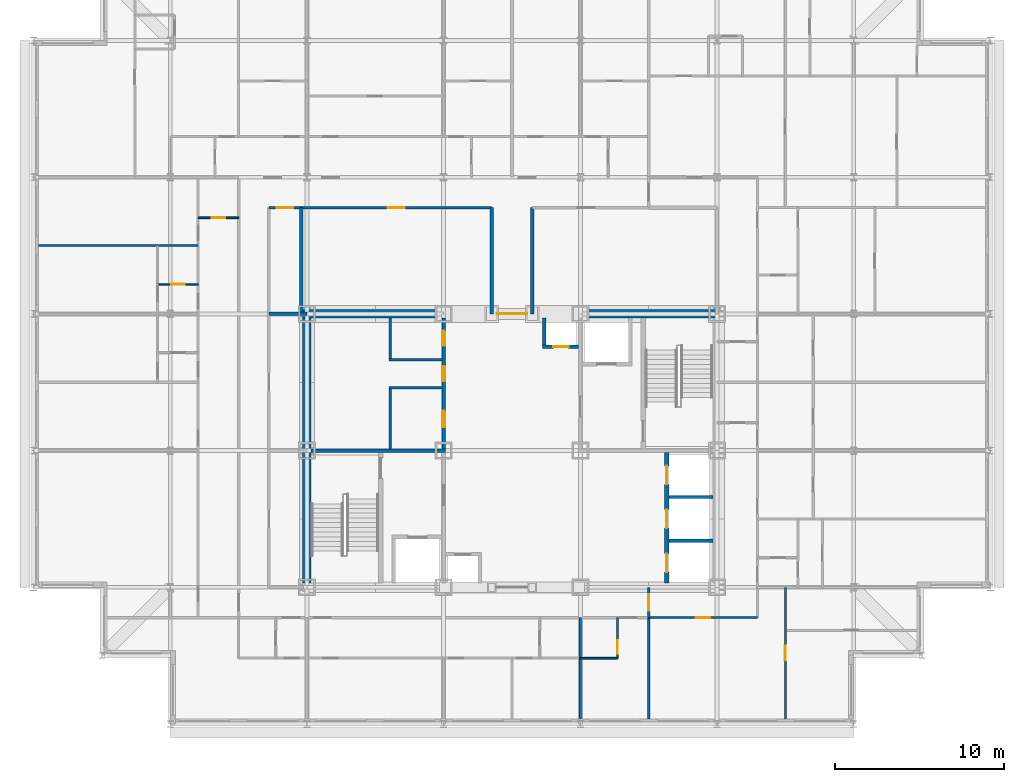
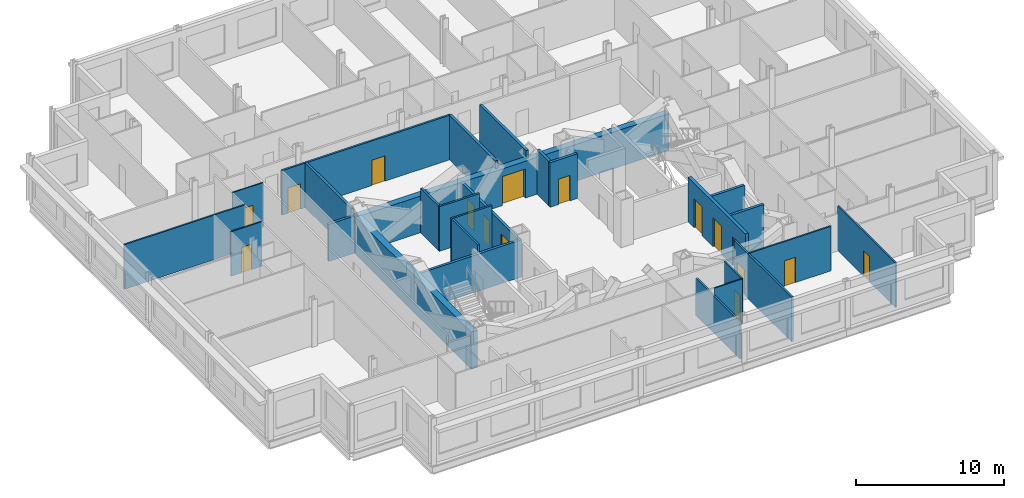
# One storey, part 9 of 15: 28 walls, 16 doors, 16 openings.
"""IFC4 building model written with IfcOpenShell, lengths in metres."""

from ifc_helpers import new_model, si_unit, direction, frame, frame_2d, origin, place, context, subcontext, project, spatial, rectangle, extrude, material, layer, layer_set, type_object, element, fill, save


model = new_model("IFC4")

# Units and contexts
model_context = context("Model", 3, precision=1e-05, world=origin(), true_north=direction((0.0, 1.0)))
body_context = subcontext(model_context, "Body", "Model", "MODEL_VIEW")
ifc_project = project(units=[si_unit("LENGTHUNIT", "METRE"), si_unit("AREAUNIT", "SQUARE_METRE"), si_unit("VOLUMEUNIT", "CUBIC_METRE"), si_unit("PLANEANGLEUNIT", "RADIAN"), si_unit("MASSUNIT", "GRAM", prefix="KILO")], contexts=[model_context])

# Site, building, storey
site_placement = place(None, origin())
site = spatial("IfcSite", under=ifc_project, at=site_placement, CompositionType="ELEMENT")
building_placement = place(site_placement, origin())
building = spatial("IfcBuilding", under=site, at=building_placement, Name="Kopane Lantern Tower", CompositionType="ELEMENT")
storey_placement = place(building_placement, frame((0.0, 0.0, 285.300048828125)))
storey = spatial("IfcBuildingStorey", under=building, at=storey_placement, Name="L73", CompositionType="ELEMENT", Elevation=285.300048828125)

# Wall
ifc_material_1 = material(Name="Gypsum board on steel studs", Category="steel")
ifc_layer_1 = layer(ifc_material_1, 0.1201171875)
ifc_layer_set_1 = layer_set([ifc_layer_1], Name="APARTMENT INTERNAL WALL 120")
wall_type_1 = type_object("IfcWallType", Name="APARTMENT INTERNAL WALL 120", PredefinedType="PARTITIONING", material=ifc_layer_set_1)
wall_1_placement = place(storey_placement, frame((9.75, 44.550048828125, 0.0), z_axis=(0.0, 0.0, 1.0), x_axis=(-1.0, 0.0, 0.0)))
element("IfcWall", 1, at=wall_1_placement, inside=storey, type_object=wall_type_1, Name="Apartment Internal Wall 120 L73", PredefinedType="PARTITIONING", context=body_context, shape_type="SweptSolid", body=[
    extrude(rectangle(XDim=9.449951171875, YDim=0.1201171875, at=frame_2d((4.72509765625, 0.0))), origin(), (0.0, 0.0, 1.0), 3.68994140625),
])

# Wall, opening, door
wall_2_placement = place(storey_placement, frame((36.449951171875, 22.5, 0.0), z_axis=(0.0, 0.0, 1.0), x_axis=(1.0, 0.0, 0.0)))
wall_2 = element("IfcWall", 2, at=wall_2_placement, inside=storey, type_object=wall_type_1, Name="Apartment Internal Wall 120 L73", PredefinedType="PARTITIONING", context=body_context, shape_type="SweptSolid", body=[
    extrude(rectangle(XDim=6.449951171875, YDim=0.1201171875, at=frame_2d((3.22509765625, 0.0))), origin(), (0.0, 0.0, 1.0), 3.68994140625),
])
opening_1_placement = place(wall_2_placement, frame((2.800048828125, 0.0, 0.0)))
opening_1 = element("IfcOpeningElement", 3, at=opening_1_placement, cuts=wall_2, Name="Opening L73-039", PredefinedType="OPENING", context=body_context, shape_type="SweptSolid", body=[
    extrude(rectangle(XDim=0.85009765625, YDim=2.10009765625, at=frame_2d((0.425048828125, 1.050048828125))), frame((0.0, 0.070068359375, 0.0), z_axis=(0.0, -1.0, 0.0), x_axis=(1.0, 0.0, 0.0)), (0.0, 0.0, 1.0), 0.14013671875),
])
ifc_material_2 = material(Name="Timber door set", Category="wood")
door_type_1 = type_object("IfcDoorType", Name="DOOR D4 850x2100", OperationType="SINGLE_SWING_LEFT", PredefinedType="DOOR", material=ifc_material_2)
door_1_placement = place(opening_1_placement, origin())
door_1 = element("IfcDoor", 4, at=door_1_placement, inside=storey, type_object=door_type_1, Name="Door L73-039", OperationType="SINGLE_SWING_RIGHT", OverallHeight=2.10009765625, OverallWidth=0.85009765625, PredefinedType="DOOR", context=body_context, shape_type="SweptSolid", body=[
    extrude(rectangle(XDim=0.85009765625, YDim=2.10009765625, at=frame_2d((0.425048828125, 1.050048828125))), frame((0.0, 0.02490234375, 0.0), z_axis=(0.0, -1.0, 0.0), x_axis=(1.0, 0.0, 0.0)), (0.0, 0.0, 1.0), 0.050048828125),
])
fill(opening_1, door_1)

wall_3_placement = place(storey_placement, frame((44.550048828125, 16.5, 0.0), z_axis=(0.0, 0.0, 1.0), x_axis=(0.0, 1.0, 0.0)))
wall_3 = element("IfcWall", 5, at=wall_3_placement, inside=storey, type_object=wall_type_1, Name="Apartment Internal Wall 120 L73", PredefinedType="PARTITIONING", context=body_context, shape_type="SweptSolid", body=[
    extrude(rectangle(XDim=7.800048828125, YDim=0.1201171875, at=frame_2d((3.89990234375, 0.0))), origin(), (0.0, 0.0, 1.0), 3.68994140625),
])
opening_2_placement = place(wall_3_placement, frame((3.47509765625, 0.0, 0.0)))
opening_2 = element("IfcOpeningElement", 6, at=opening_2_placement, cuts=wall_3, Name="Opening L73-040", PredefinedType="OPENING", context=body_context, shape_type="SweptSolid", body=[
    extrude(rectangle(XDim=0.85009765625, YDim=2.10009765625, at=frame_2d((0.425048828125, 1.050048828125))), frame((0.0, 0.070068359375, 0.0), z_axis=(0.0, -1.0, 0.0), x_axis=(1.0, 0.0, 0.0)), (0.0, 0.0, 1.0), 0.14013671875),
])
door_2_placement = place(opening_2_placement, origin())
door_2 = element("IfcDoor", 7, at=door_2_placement, inside=storey, type_object=door_type_1, Name="Door L73-040", OperationType="SINGLE_SWING_LEFT", OverallHeight=2.10009765625, OverallWidth=0.85009765625, PredefinedType="DOOR", context=body_context, shape_type="SweptSolid", body=[
    extrude(rectangle(XDim=0.85009765625, YDim=2.10009765625, at=frame_2d((0.425048828125, 1.050048828125))), frame((0.0, 0.02490234375, 0.0), z_axis=(0.0, -1.0, 0.0), x_axis=(1.0, 0.0, 0.0)), (0.0, 0.0, 1.0), 0.050048828125),
])
fill(opening_2, door_2)

# Wall
ifc_material_3 = material(Name="Moisture-resistant board on steel studs", Category="steel")
ifc_layer_2 = layer(ifc_material_3, 0.10009765625)
ifc_layer_set_2 = layer_set([ifc_layer_2], Name="BATHROOM WALL 100")
wall_type_2 = type_object("IfcWallType", Name="BATHROOM WALL 100", PredefinedType="PARTITIONING", material=ifc_layer_set_2)
wall_4_placement = place(storey_placement, frame((32.39990234375, 20.10009765625, 0.0), z_axis=(0.0, 0.0, 1.0), x_axis=(1.0, 0.0, 0.0)))
element("IfcWall", 8, at=wall_4_placement, inside=storey, type_object=wall_type_2, Name="Bathroom Wall 100 L73", PredefinedType="PARTITIONING", context=body_context, shape_type="SweptSolid", body=[
    extrude(rectangle(XDim=2.2001953125, YDim=0.10009765625, at=frame_2d((1.10009765625, 0.0))), origin(), (0.0, 0.0, 1.0), 3.68994140625),
])

# Wall, opening, door
wall_5_placement = place(storey_placement, frame((34.60009765625, 22.5, 0.0), z_axis=(0.0, 0.0, 1.0), x_axis=(0.0, -1.0, 0.0)))
wall_5 = element("IfcWall", 9, at=wall_5_placement, inside=storey, type_object=wall_type_2, Name="Bathroom Wall 100 L73", PredefinedType="PARTITIONING", context=body_context, shape_type="SweptSolid", body=[
    extrude(rectangle(XDim=2.39990234375, YDim=0.10009765625, at=frame_2d((1.199951171875, 0.0))), origin(), (0.0, 0.0, 1.0), 3.68994140625),
])
opening_3_placement = place(wall_5_placement, frame((1.35009765625, 0.0, 0.0)))
opening_3 = element("IfcOpeningElement", 10, at=opening_3_placement, cuts=wall_5, Name="Opening L73-011", PredefinedType="OPENING", context=body_context, shape_type="SweptSolid", body=[
    extrude(rectangle(XDim=0.800048828125, YDim=2.10009765625, at=frame_2d((0.39990234375, 1.050048828125))), frame((0.0, 0.06005859375, 0.0), z_axis=(0.0, -1.0, 0.0), x_axis=(1.0, 0.0, 0.0)), (0.0, 0.0, 1.0), 0.1201171875),
])
ifc_material_4 = material(Name="Timber door set", Category="wood")
door_type_2 = type_object("IfcDoorType", Name="DOOR D2 800x2100", OperationType="SINGLE_SWING_LEFT", PredefinedType="DOOR", material=ifc_material_4)
door_3_placement = place(opening_3_placement, origin())
door_3 = element("IfcDoor", 11, at=door_3_placement, inside=storey, type_object=door_type_2, Name="Door L73-011", OperationType="SINGLE_SWING_LEFT", OverallHeight=2.10009765625, OverallWidth=0.800048828125, PredefinedType="DOOR", context=body_context, shape_type="SweptSolid", body=[
    extrude(rectangle(XDim=0.800048828125, YDim=2.10009765625, at=frame_2d((0.39990234375, 1.050048828125))), frame((0.0, 0.02490234375, 0.0), z_axis=(0.0, -1.0, 0.0), x_axis=(1.0, 0.0, 0.0)), (0.0, 0.0, 1.0), 0.050048828125),
])
fill(opening_3, door_3)

wall_6_placement = place(storey_placement, frame((12.14990234375, 46.199951171875, 0.0), z_axis=(0.0, 0.0, 1.0), x_axis=(-1.0, 0.0, 0.0)))
wall_6 = element("IfcWall", 12, at=wall_6_placement, inside=storey, type_object=wall_type_2, Name="Bathroom Wall 100 L73", PredefinedType="PARTITIONING", context=body_context, shape_type="SweptSolid", body=[
    extrude(rectangle(XDim=2.39990234375, YDim=0.10009765625, at=frame_2d((1.199951171875, 0.0))), origin(), (0.0, 0.0, 1.0), 3.68994140625),
])
opening_4_placement = place(wall_6_placement, frame((0.800048828125, 0.0, 0.0)))
opening_4 = element("IfcOpeningElement", 13, at=opening_4_placement, cuts=wall_6, Name="Opening L73-021", PredefinedType="OPENING", context=body_context, shape_type="SweptSolid", body=[
    extrude(rectangle(XDim=0.800048828125, YDim=2.10009765625, at=frame_2d((0.39990234375, 1.050048828125))), frame((0.0, 0.06005859375, 0.0), z_axis=(0.0, -1.0, 0.0), x_axis=(1.0, 0.0, 0.0)), (0.0, 0.0, 1.0), 0.1201171875),
])
door_4_placement = place(opening_4_placement, origin())
door_4 = element("IfcDoor", 14, at=door_4_placement, inside=storey, type_object=door_type_2, Name="Door L73-021", OperationType="SINGLE_SWING_RIGHT", OverallHeight=2.10009765625, OverallWidth=0.800048828125, PredefinedType="DOOR", context=body_context, shape_type="SweptSolid", body=[
    extrude(rectangle(XDim=0.800048828125, YDim=2.10009765625, at=frame_2d((0.39990234375, 1.050048828125))), frame((0.0, 0.02490234375, 0.0), z_axis=(0.0, -1.0, 0.0), x_axis=(1.0, 0.0, 0.0)), (0.0, 0.0, 1.0), 0.050048828125),
])
fill(opening_4, door_4)

wall_7_placement = place(storey_placement, frame((9.75, 42.25, 0.0), z_axis=(0.0, 0.0, 1.0), x_axis=(-1.0, 0.0, 0.0)))
wall_7 = element("IfcWall", 15, at=wall_7_placement, inside=storey, type_object=wall_type_2, Name="Bathroom Wall 100 L73", PredefinedType="PARTITIONING", context=body_context, shape_type="SweptSolid", body=[
    extrude(rectangle(XDim=2.39990234375, YDim=0.10009765625, at=frame_2d((1.199951171875, 0.0))), origin(), (0.0, 0.0, 1.0), 3.68994140625),
])
opening_5_placement = place(wall_7_placement, frame((0.800048828125, 0.0, 0.0)))
opening_5 = element("IfcOpeningElement", 16, at=opening_5_placement, cuts=wall_7, Name="Opening L73-027", PredefinedType="OPENING", context=body_context, shape_type="SweptSolid", body=[
    extrude(rectangle(XDim=0.800048828125, YDim=2.10009765625, at=frame_2d((0.39990234375, 1.050048828125))), frame((0.0, 0.06005859375, 0.0), z_axis=(0.0, -1.0, 0.0), x_axis=(1.0, 0.0, 0.0)), (0.0, 0.0, 1.0), 0.1201171875),
])
door_5_placement = place(opening_5_placement, origin())
door_5 = element("IfcDoor", 17, at=door_5_placement, inside=storey, type_object=door_type_2, Name="Door L73-027", OperationType="SINGLE_SWING_RIGHT", OverallHeight=2.10009765625, OverallWidth=0.800048828125, PredefinedType="DOOR", context=body_context, shape_type="SweptSolid", body=[
    extrude(rectangle(XDim=0.800048828125, YDim=2.10009765625, at=frame_2d((0.39990234375, 1.050048828125))), frame((0.0, 0.02490234375, 0.0), z_axis=(0.0, -1.0, 0.0), x_axis=(1.0, 0.0, 0.0)), (0.0, 0.0, 1.0), 0.050048828125),
])
fill(opening_5, door_5)

ifc_material_5 = material(Name="Gypsum shaft wall EI 120", Category="gypsum")
ifc_layer_3 = layer(ifc_material_5, 0.5)
ifc_layer_set_3 = layer_set([ifc_layer_3], Name="CORE PERIMETER WALL 500 EI 120")
wall_type_3 = type_object("IfcWallType", Name="CORE PERIMETER WALL 500 EI 120", PredefinedType="SOLIDWALL", material=ifc_layer_set_3)
wall_8_placement = place(storey_placement, frame((15.949951171875, 40.5, 0.0), z_axis=(0.0, 0.0, 1.0), x_axis=(1.0, 0.0, 0.0)))
wall_8 = element("IfcWall", 18, at=wall_8_placement, inside=storey, type_object=wall_type_3, Name="Core shaft wall L73 PN", PredefinedType="SOLIDWALL", context=body_context, shape_type="SweptSolid", body=[
    extrude(rectangle(XDim=24.550048828125, YDim=0.5, at=frame_2d((12.27490234375, 0.0))), origin(), (0.0, 0.0, 1.0), 3.0400390625),
])
opening_6_placement = place(wall_8_placement, frame((11.5, 0.0, 0.0)))
opening_6 = element("IfcOpeningElement", 19, at=opening_6_placement, cuts=wall_8, Name="Opening 73.CE-N", PredefinedType="OPENING", context=body_context, shape_type="SweptSolid", body=[
    extrude(rectangle(XDim=1.800048828125, YDim=2.39990234375, at=frame_2d((0.89990234375, 1.199951171875))), frame((0.0, 0.260009765625, 0.0), z_axis=(0.0, -1.0, 0.0), x_axis=(1.0, 0.0, 0.0)), (0.0, 0.0, 1.0), 0.52001953125),
])
ifc_material_6 = material(Name="Steel door set", Category="steel")
door_type_3 = type_object("IfcDoorType", Name="CORE ENTRY DOOR 1800x2400 FD60S", OperationType="DOUBLE_DOOR_SINGLE_SWING", PredefinedType="DOOR", material=ifc_material_6)
door_6_placement = place(opening_6_placement, origin())
door_6 = element("IfcDoor", 20, at=door_6_placement, inside=storey, type_object=door_type_3, Name="Core entry door L73 north", OperationType="DOUBLE_DOOR_SINGLE_SWING", OverallHeight=2.39990234375, OverallWidth=1.800048828125, PredefinedType="DOOR", context=body_context, shape_type="SweptSolid", body=[
    extrude(rectangle(XDim=1.800048828125, YDim=2.39990234375, at=frame_2d((0.89990234375, 1.199951171875))), frame((0.0, 0.02490234375, 0.0), z_axis=(0.0, -1.0, 0.0), x_axis=(1.0, 0.0, 0.0)), (0.0, 0.0, 1.0), 0.050048828125),
])
fill(opening_6, door_6)

# Walls
wall_9_placement = place(storey_placement, frame((16.199951171875, 24.550048828125, 0.0), z_axis=(0.0, 0.0, 1.0), x_axis=(0.0, 1.0, 0.0)))
element("IfcWall", 21, at=wall_9_placement, inside=storey, type_object=wall_type_3, Name="Core shaft wall L73 PW", PredefinedType="SOLIDWALL", context=body_context, shape_type="SweptSolid", body=[
    extrude(rectangle(XDim=15.699951171875, YDim=0.5, at=frame_2d((7.85009765625, 0.0))), origin(), (0.0, 0.0, 1.0), 3.07763671875),
])
ifc_material_7 = material(Name="Gypsum partition EI 60", Category="gypsum")
ifc_layer_4 = layer(ifc_material_7, 0.14990234375)
ifc_layer_set_4 = layer_set([ifc_layer_4], Name="CORE ROOM PARTITION 150 EI 60")
wall_type_4 = type_object("IfcWallType", Name="CORE ROOM PARTITION 150 EI 60", PredefinedType="PARTITIONING", material=ifc_layer_set_4)
for number, where, z_axis, x_axis, name in (
    (22, (21.050048828125, 36.125, 0.0), (0.0, 0.0, 1.0), (1.0, 0.0, 0.0), "Core room partition L73 WW1"),
    (23, (21.050048828125, 37.77490234375, 0.0), (0.0, 0.0, 1.0), (1.0, 0.0, 0.0), "Core room partition L73 WW2"),
):
    element("IfcWall", number, at=place(storey_placement, frame(where, z_axis=z_axis, x_axis=x_axis)), inside=storey, type_object=wall_type_4, Name=name, PredefinedType="PARTITIONING", context=body_context, shape_type="SweptSolid", body=[
        extrude(rectangle(XDim=3.14990234375, YDim=0.14990234375, at=frame_2d((1.574951171875, 0.0))), origin(), (0.0, 0.0, 1.0), 3.68994140625),
    ])
wall_10_placement = place(storey_placement, frame((21.125, 32.5, 0.0), z_axis=(0.0, 0.0, 1.0), x_axis=(0.0, 1.0, 0.0)))
element("IfcWall", 24, at=wall_10_placement, inside=storey, type_object=wall_type_4, Name="Core room partition L73 WWB0", PredefinedType="PARTITIONING", context=body_context, shape_type="SweptSolid", body=[
    extrude(rectangle(XDim=3.550048828125, YDim=0.14990234375, at=frame_2d((1.77490234375, 0.0))), origin(), (0.0, 0.0, 1.0), 3.68994140625),
])
wall_11_placement = place(storey_placement, frame((21.125, 37.85009765625, 0.0), z_axis=(0.0, 0.0, 1.0), x_axis=(0.0, 1.0, 0.0)))
element("IfcWall", 25, at=wall_11_placement, inside=storey, type_object=wall_type_4, Name="Core room partition L73 WWB1", PredefinedType="PARTITIONING", context=body_context, shape_type="SweptSolid", body=[
    extrude(rectangle(XDim=2.39990234375, YDim=0.14990234375, at=frame_2d((1.199951171875, 0.0))), origin(), (0.0, 0.0, 1.0), 3.68994140625),
])

# Wall, openings, doors
ifc_material_8 = material(Name="Gypsum partition EI 60", Category="gypsum")
ifc_layer_5 = layer(ifc_material_8, 0.199951171875)
ifc_layer_set_5 = layer_set([ifc_layer_5], Name="CORE ROOM WALL 200 EI 60")
wall_type_5 = type_object("IfcWallType", Name="CORE ROOM WALL 200 EI 60", PredefinedType="PARTITIONING", material=ifc_layer_set_5)
wall_12_placement = place(storey_placement, frame((24.300048828125, 32.5, 0.0), z_axis=(0.0, 0.0, 1.0), x_axis=(0.0, 1.0, 0.0)))
wall_12 = element("IfcWall", 26, at=wall_12_placement, inside=storey, type_object=wall_type_5, Name="Core room wall L73 XW", PredefinedType="PARTITIONING", context=body_context, shape_type="SweptSolid", body=[
    extrude(rectangle(XDim=7.75, YDim=0.199951171875, at=frame_2d((3.875, 0.0))), origin(), (0.0, 0.0, 1.0), 3.07763671875),
])
opening_7_placement = place(wall_12_placement, frame((1.27490234375, 0.0, 0.0)))
opening_7 = element("IfcOpeningElement", 27, at=opening_7_placement, cuts=wall_12, Name="Opening 73.C30", PredefinedType="OPENING", context=body_context, shape_type="SweptSolid", body=[
    extrude(rectangle(XDim=1.0, YDim=2.10009765625, at=frame_2d((0.5, 1.050048828125))), frame((0.0, 0.10986328125, 0.0), z_axis=(0.0, -1.0, 0.0), x_axis=(1.0, 0.0, 0.0)), (0.0, 0.0, 1.0), 0.219970703125),
])
opening_8_placement = place(wall_12_placement, frame((4.0, 0.0, 0.0)))
opening_8 = element("IfcOpeningElement", 28, at=opening_8_placement, cuts=wall_12, Name="Opening 73.C31", PredefinedType="OPENING", context=body_context, shape_type="SweptSolid", body=[
    extrude(rectangle(XDim=0.89990234375, YDim=2.10009765625, at=frame_2d((0.449951171875, 1.050048828125))), frame((0.0, 0.10986328125, 0.0), z_axis=(0.0, -1.0, 0.0), x_axis=(1.0, 0.0, 0.0)), (0.0, 0.0, 1.0), 0.219970703125),
])
opening_9_placement = place(wall_12_placement, frame((6.10009765625, 0.0, 0.0)))
opening_9 = element("IfcOpeningElement", 29, at=opening_9_placement, cuts=wall_12, Name="Opening 73.C32", PredefinedType="OPENING", context=body_context, shape_type="SweptSolid", body=[
    extrude(rectangle(XDim=0.89990234375, YDim=2.10009765625, at=frame_2d((0.449951171875, 1.050048828125))), frame((0.0, 0.10986328125, 0.0), z_axis=(0.0, -1.0, 0.0), x_axis=(1.0, 0.0, 0.0)), (0.0, 0.0, 1.0), 0.219970703125),
])
ifc_material_9 = material(Name="Steel door set", Category="steel")
door_type_4 = type_object("IfcDoorType", Name="CORE ROOM DOOR 1000x2100 FD30S", OperationType="SINGLE_SWING_RIGHT", PredefinedType="DOOR", material=ifc_material_9)
door_7_placement = place(opening_7_placement, origin())
door_7 = element("IfcDoor", 30, at=door_7_placement, inside=storey, type_object=door_type_4, Name="Door Parcel room L73", OperationType="SINGLE_SWING_LEFT", OverallHeight=2.10009765625, OverallWidth=1.0, PredefinedType="DOOR", context=body_context, shape_type="SweptSolid", body=[
    extrude(rectangle(XDim=1.0, YDim=2.10009765625, at=frame_2d((0.5, 1.050048828125))), frame((0.0, 0.02490234375, 0.0), z_axis=(0.0, -1.0, 0.0), x_axis=(1.0, 0.0, 0.0)), (0.0, 0.0, 1.0), 0.050048828125),
])
fill(opening_7, door_7)
ifc_material_10 = material(Name="Steel door set", Category="steel")
door_type_5 = type_object("IfcDoorType", Name="CORE ROOM DOOR 900x2100 FD60", OperationType="SINGLE_SWING_LEFT", PredefinedType="DOOR", material=ifc_material_10)
door_8_placement = place(opening_8_placement, origin())
door_8 = element("IfcDoor", 31, at=door_8_placement, inside=storey, type_object=door_type_5, Name="Door Residents storage L73", OperationType="SINGLE_SWING_RIGHT", OverallHeight=2.10009765625, OverallWidth=0.89990234375, PredefinedType="DOOR", context=body_context, shape_type="SweptSolid", body=[
    extrude(rectangle(XDim=0.89990234375, YDim=2.10009765625, at=frame_2d((0.449951171875, 1.050048828125))), frame((0.0, 0.02490234375, 0.0), z_axis=(0.0, -1.0, 0.0), x_axis=(1.0, 0.0, 0.0)), (0.0, 0.0, 1.0), 0.050048828125),
])
fill(opening_8, door_8)
door_9_placement = place(opening_9_placement, origin())
door_9 = element("IfcDoor", 32, at=door_9_placement, inside=storey, type_object=door_type_5, Name="Door IT room L73", OperationType="SINGLE_SWING_LEFT", OverallHeight=2.10009765625, OverallWidth=0.89990234375, PredefinedType="DOOR", context=body_context, shape_type="SweptSolid", body=[
    extrude(rectangle(XDim=0.89990234375, YDim=2.10009765625, at=frame_2d((0.449951171875, 1.050048828125))), frame((0.0, 0.02490234375, 0.0), z_axis=(0.0, -1.0, 0.0), x_axis=(1.0, 0.0, 0.0)), (0.0, 0.0, 1.0), 0.050048828125),
])
fill(opening_9, door_9)

ifc_material_11 = material(Name="Gypsum shaft wall EI 120", Category="gypsum")
ifc_layer_6 = layer(ifc_material_11, 0.25)
ifc_layer_set_6 = layer_set([ifc_layer_6], Name="CORE SHAFT WALL 250 EI 120")
wall_type_6 = type_object("IfcWallType", Name="CORE SHAFT WALL 250 EI 120", PredefinedType="SOLIDWALL", material=ifc_layer_set_6)
wall_13_placement = place(storey_placement, frame((37.52490234375, 24.550048828125, 0.0), z_axis=(0.0, 0.0, 1.0), x_axis=(0.0, 1.0, 0.0)))
wall_13 = element("IfcWall", 33, at=wall_13_placement, inside=storey, type_object=wall_type_6, Name="Core shaft wall L73 XLR", PredefinedType="SOLIDWALL", context=body_context, shape_type="SweptSolid", body=[
    extrude(rectangle(XDim=7.75, YDim=0.25, at=frame_2d((3.875, 0.0))), origin(), (0.0, 0.0, 1.0), 3.68994140625),
])
opening_10_placement = place(wall_13_placement, frame((0.64990234375, 0.0, 0.0)))
opening_10 = element("IfcOpeningElement", 34, at=opening_10_placement, cuts=wall_13, Name="Opening 73.LD-LR1", PredefinedType="OPENING", context=body_context, shape_type="SweptSolid", body=[
    extrude(rectangle(XDim=1.10009765625, YDim=2.39990234375, at=frame_2d((0.550048828125, 1.199951171875))), frame((0.0, 0.135009765625, 0.0), z_axis=(0.0, -1.0, 0.0), x_axis=(1.0, 0.0, 0.0)), (0.0, 0.0, 1.0), 0.27001953125),
])
opening_11_placement = place(wall_13_placement, frame((3.25, 0.0, 0.0)))
opening_11 = element("IfcOpeningElement", 35, at=opening_11_placement, cuts=wall_13, Name="Opening 73.LD-LR2", PredefinedType="OPENING", context=body_context, shape_type="SweptSolid", body=[
    extrude(rectangle(XDim=1.10009765625, YDim=2.39990234375, at=frame_2d((0.550048828125, 1.199951171875))), frame((0.0, 0.135009765625, 0.0), z_axis=(0.0, -1.0, 0.0), x_axis=(1.0, 0.0, 0.0)), (0.0, 0.0, 1.0), 0.27001953125),
])
opening_12_placement = place(wall_13_placement, frame((5.85009765625, 0.0, 0.0)))
opening_12 = element("IfcOpeningElement", 36, at=opening_12_placement, cuts=wall_13, Name="Opening 73.LD-LR3", PredefinedType="OPENING", context=body_context, shape_type="SweptSolid", body=[
    extrude(rectangle(XDim=1.10009765625, YDim=2.39990234375, at=frame_2d((0.550048828125, 1.199951171875))), frame((0.0, 0.135009765625, 0.0), z_axis=(0.0, -1.0, 0.0), x_axis=(1.0, 0.0, 0.0)), (0.0, 0.0, 1.0), 0.27001953125),
])
ifc_material_12 = material(Name="Steel door set", Category="steel")
door_type_6 = type_object("IfcDoorType", Name="LIFT LANDING DOOR 1100x2400 FD60", OperationType="DOUBLE_DOOR_SLIDING", PredefinedType="DOOR", material=ifc_material_12)
door_10_placement = place(opening_10_placement, origin())
door_10 = element("IfcDoor", 37, at=door_10_placement, inside=storey, type_object=door_type_6, Name="Landing door LR1 L73", OperationType="DOUBLE_DOOR_SLIDING", OverallHeight=2.39990234375, OverallWidth=1.10009765625, PredefinedType="DOOR", context=body_context, shape_type="SweptSolid", body=[
    extrude(rectangle(XDim=1.10009765625, YDim=2.39990234375, at=frame_2d((0.550048828125, 1.199951171875))), frame((0.0, 0.02490234375, 0.0), z_axis=(0.0, -1.0, 0.0), x_axis=(1.0, 0.0, 0.0)), (0.0, 0.0, 1.0), 0.050048828125),
])
fill(opening_10, door_10)
door_11_placement = place(opening_11_placement, origin())
door_11 = element("IfcDoor", 38, at=door_11_placement, inside=storey, type_object=door_type_6, Name="Landing door LR2 L73", OperationType="DOUBLE_DOOR_SLIDING", OverallHeight=2.39990234375, OverallWidth=1.10009765625, PredefinedType="DOOR", context=body_context, shape_type="SweptSolid", body=[
    extrude(rectangle(XDim=1.10009765625, YDim=2.39990234375, at=frame_2d((0.550048828125, 1.199951171875))), frame((0.0, 0.02490234375, 0.0), z_axis=(0.0, -1.0, 0.0), x_axis=(1.0, 0.0, 0.0)), (0.0, 0.0, 1.0), 0.050048828125),
])
fill(opening_11, door_11)
door_12_placement = place(opening_12_placement, origin())
door_12 = element("IfcDoor", 39, at=door_12_placement, inside=storey, type_object=door_type_6, Name="Landing door LR3 L73", OperationType="DOUBLE_DOOR_SLIDING", OverallHeight=2.39990234375, OverallWidth=1.10009765625, PredefinedType="DOOR", context=body_context, shape_type="SweptSolid", body=[
    extrude(rectangle(XDim=1.10009765625, YDim=2.39990234375, at=frame_2d((0.550048828125, 1.199951171875))), frame((0.0, 0.02490234375, 0.0), z_axis=(0.0, -1.0, 0.0), x_axis=(1.0, 0.0, 0.0)), (0.0, 0.0, 1.0), 0.050048828125),
])
fill(opening_12, door_12)

ifc_material_13 = material(Name="Gypsum board on steel studs", Category="steel")
ifc_layer_7 = layer(ifc_material_13, 0.14990234375)
ifc_layer_set_7 = layer_set([ifc_layer_7], Name="CORRIDOR WALL 150 EI 60")
wall_type_7 = type_object("IfcWallType", Name="CORRIDOR WALL 150 EI 60", PredefinedType="PARTITIONING", material=ifc_layer_set_7)
wall_14_placement = place(storey_placement, frame((13.949951171875, 46.800048828125, 0.0), z_axis=(0.0, 0.0, 1.0), x_axis=(1.0, 0.0, 0.0)))
wall_14 = element("IfcWall", 40, at=wall_14_placement, inside=storey, type_object=wall_type_7, Name="Corridor Wall 150 Ei 60 L73", PredefinedType="PARTITIONING", context=body_context, shape_type="SweptSolid", body=[
    extrude(rectangle(XDim=13.18994140625, YDim=0.14990234375, at=frame_2d((6.594970703125, 0.0))), origin(), (0.0, 0.0, 1.0), 3.68994140625),
])
opening_13_placement = place(wall_14_placement, frame((0.452392578125, 0.0, 0.0)))
opening_13 = element("IfcOpeningElement", 41, at=opening_13_placement, cuts=wall_14, Name="Opening L73-003", PredefinedType="OPENING", context=body_context, shape_type="SweptSolid", body=[
    extrude(rectangle(XDim=1.0, YDim=2.10009765625, at=frame_2d((0.5, 1.050048828125))), frame((0.0, 0.0849609375, 0.0), z_axis=(0.0, -1.0, 0.0), x_axis=(1.0, 0.0, 0.0)), (0.0, 0.0, 1.0), 0.169921875),
])
opening_14_placement = place(wall_14_placement, frame((7.052490234375, 0.0, 0.0)))
opening_14 = element("IfcOpeningElement", 42, at=opening_14_placement, cuts=wall_14, Name="Opening L73-004", PredefinedType="OPENING", context=body_context, shape_type="SweptSolid", body=[
    extrude(rectangle(XDim=1.0, YDim=2.10009765625, at=frame_2d((0.5, 1.050048828125))), frame((0.0, 0.0849609375, 0.0), z_axis=(0.0, -1.0, 0.0), x_axis=(1.0, 0.0, 0.0)), (0.0, 0.0, 1.0), 0.169921875),
])
ifc_material_14 = material(Name="Steel door set", Category="steel")
door_type_7 = type_object("IfcDoorType", Name="DOOR D5 1000x2100 FD60", OperationType="SINGLE_SWING_LEFT", PredefinedType="DOOR", material=ifc_material_14)
door_13_placement = place(opening_13_placement, origin())
door_13 = element("IfcDoor", 43, at=door_13_placement, inside=storey, type_object=door_type_7, Name="Door L73-003", OperationType="SINGLE_SWING_RIGHT", OverallHeight=2.10009765625, OverallWidth=1.0, PredefinedType="DOOR", context=body_context, shape_type="SweptSolid", body=[
    extrude(rectangle(XDim=1.0, YDim=2.10009765625, at=frame_2d((0.5, 1.050048828125))), frame((0.0, 0.02490234375, 0.0), z_axis=(0.0, -1.0, 0.0), x_axis=(1.0, 0.0, 0.0)), (0.0, 0.0, 1.0), 0.050048828125),
])
fill(opening_13, door_13)
door_14_placement = place(opening_14_placement, origin())
door_14 = element("IfcDoor", 44, at=door_14_placement, inside=storey, type_object=door_type_7, Name="Door L73-004", OperationType="SINGLE_SWING_LEFT", OverallHeight=2.10009765625, OverallWidth=1.0, PredefinedType="DOOR", context=body_context, shape_type="SweptSolid", body=[
    extrude(rectangle(XDim=1.0, YDim=2.10009765625, at=frame_2d((0.5, 1.050048828125))), frame((0.0, 0.02490234375, 0.0), z_axis=(0.0, -1.0, 0.0), x_axis=(1.0, 0.0, 0.0)), (0.0, 0.0, 1.0), 0.050048828125),
])
fill(opening_14, door_14)

# Wall, opening, door
wall_15_placement = place(storey_placement, frame((36.449951171875, 22.5, 0.0), z_axis=(0.0, 0.0, 1.0), x_axis=(0.0, 1.0, 0.0)))
wall_15 = element("IfcWall", 45, at=wall_15_placement, inside=storey, type_object=wall_type_7, Name="Corridor Wall 150 Ei 60 L73", PredefinedType="PARTITIONING", context=body_context, shape_type="SweptSolid", body=[
    extrude(rectangle(XDim=1.800048828125, YDim=0.14990234375, at=frame_2d((0.89990234375, 0.0))), origin(), (0.0, 0.0, 1.0), 3.68994140625),
])
opening_15_placement = place(wall_15_placement, frame((0.39990234375, 0.0, 0.0)))
opening_15 = element("IfcOpeningElement", 46, at=opening_15_placement, cuts=wall_15, Name="Opening L73-037", PredefinedType="OPENING", context=body_context, shape_type="SweptSolid", body=[
    extrude(rectangle(XDim=1.0, YDim=2.10009765625, at=frame_2d((0.5, 1.050048828125))), frame((0.0, 0.0849609375, 0.0), z_axis=(0.0, -1.0, 0.0), x_axis=(1.0, 0.0, 0.0)), (0.0, 0.0, 1.0), 0.169921875),
])
ifc_material_15 = material(Name="Steel door set", Category="steel")
door_type_8 = type_object("IfcDoorType", Name="DOOR D3 1000x2100 FD30S", OperationType="SINGLE_SWING_LEFT", PredefinedType="DOOR", material=ifc_material_15)
door_15_placement = place(opening_15_placement, origin())
door_15 = element("IfcDoor", 47, at=door_15_placement, inside=storey, type_object=door_type_8, Name="Door L73-037", OperationType="SINGLE_SWING_RIGHT", OverallHeight=2.10009765625, OverallWidth=1.0, PredefinedType="DOOR", context=body_context, shape_type="SweptSolid", body=[
    extrude(rectangle(XDim=1.0, YDim=2.10009765625, at=frame_2d((0.5, 1.050048828125))), frame((0.0, 0.02490234375, 0.0), z_axis=(0.0, -1.0, 0.0), x_axis=(1.0, 0.0, 0.0)), (0.0, 0.0, 1.0), 0.050048828125),
])
fill(opening_15, door_15)

# Walls
ifc_material_16 = material(Name="Gypsum board on steel studs", Category="steel")
ifc_layer_8 = layer(ifc_material_16, 0.14990234375)
ifc_layer_set_8 = layer_set([ifc_layer_8], Name="DEMISING WALL 150 EI 60")
wall_type_8 = type_object("IfcWallType", Name="DEMISING WALL 150 EI 60", PredefinedType="PARTITIONING", material=ifc_layer_set_8)
wall_16_placement = place(storey_placement, frame((32.39990234375, 22.5, 0.0), z_axis=(0.0, 0.0, 1.0), x_axis=(0.0, -1.0, 0.0)))
element("IfcWall", 48, at=wall_16_placement, inside=storey, type_object=wall_type_8, Name="Demising Wall 150 Ei 60 L73", PredefinedType="PARTITIONING", context=body_context, shape_type="SweptSolid", body=[
    extrude(rectangle(XDim=6.0, YDim=0.14990234375, at=frame_2d((3.0, 0.0))), origin(), (0.0, 0.0, 1.0), 3.07763671875),
])
wall_17_placement = place(storey_placement, frame((36.449951171875, 16.5, 0.0), z_axis=(0.0, 0.0, 1.0), x_axis=(0.0, 1.0, 0.0)))
element("IfcWall", 49, at=wall_17_placement, inside=storey, type_object=wall_type_8, Name="Demising Wall 150 Ei 60 L73", PredefinedType="PARTITIONING", context=body_context, shape_type="SweptSolid", body=[
    extrude(rectangle(XDim=6.0, YDim=0.14990234375, at=frame_2d((3.0, 0.0))), origin(), (0.0, 0.0, 1.0), 3.68994140625),
])
ifc_material_17 = material(Name="Concrete masonry", Category="masonry")
ifc_layer_9 = layer(ifc_material_17, 0.199951171875)
ifc_layer_set_9 = layer_set([ifc_layer_9], Name="PLANT ROOM WALL 200 EI 120")
wall_type_9 = type_object("IfcWallType", Name="PLANT ROOM WALL 200 EI 120", PredefinedType="SOLIDWALL", material=ifc_layer_set_9)
for number, where, z_axis, x_axis, name in (
    (50, (15.854736328125, 46.800048828125, 0.0), (0.0, 0.0, 1.0), (0.0, -1.0, 0.0), "Plant Room Wall 200 Ei 120 L73"),
    (51, (27.14990234375, 40.5, 0.0), (0.0, 0.0, 1.0), (0.0, 1.0, 0.0), "Plant Room Wall 200 Ei 120 L73"),
    (52, (29.550048828125, 40.5, 0.0), (0.0, 0.0, 1.0), (0.0, 1.0, 0.0), "Plant Room Wall 200 Ei 120 L73"),
):
    element("IfcWall", number, at=place(storey_placement, frame(where, z_axis=z_axis, x_axis=x_axis)), inside=storey, type_object=wall_type_9, Name=name, PredefinedType="SOLIDWALL", context=body_context, shape_type="SweptSolid", body=[
        extrude(rectangle(XDim=6.300048828125, YDim=0.199951171875, at=frame_2d((3.14990234375, 0.0))), origin(), (0.0, 0.0, 1.0), 3.68994140625),
    ])
wall_18_placement = place(storey_placement, frame((13.949951171875, 40.5, 0.0), z_axis=(0.0, 0.0, 1.0), x_axis=(1.0, 0.0, 0.0)))
element("IfcWall", 53, at=wall_18_placement, inside=storey, type_object=wall_type_9, Name="Plant Room Wall 200 Ei 120 L73", PredefinedType="SOLIDWALL", context=body_context, shape_type="SweptSolid", body=[
    extrude(rectangle(XDim=2.25, YDim=0.199951171875, at=frame_2d((1.125, 0.0))), origin(), (0.0, 0.0, 1.0), 3.07763671875),
])
ifc_material_18 = material(Name="Gypsum shaft wall EI 120", Category="gypsum")
ifc_layer_10 = layer(ifc_material_18, 0.199951171875)
ifc_layer_set_10 = layer_set([ifc_layer_10], Name="SHAFT WALL 200 EI 120")
wall_type_10 = type_object("IfcWallType", Name="SHAFT WALL 200 EI 120", PredefinedType="SOLIDWALL", material=ifc_layer_set_10)
wall_19_placement = place(storey_placement, frame((16.449951171875, 32.39990234375, 0.0), z_axis=(0.0, 0.0, 1.0), x_axis=(1.0, 0.0, 0.0)))
element("IfcWall", 54, at=wall_19_placement, inside=storey, type_object=wall_type_10, Name="Core shaft wall L73 Y324W", PredefinedType="SOLIDWALL", context=body_context, shape_type="SweptSolid", body=[
    extrude(rectangle(XDim=7.949951171875, YDim=0.199951171875, at=frame_2d((3.97509765625, 0.0))), origin(), (0.0, 0.0, 1.0), 3.07763671875),
])
for number, where, z_axis, x_axis, name in (
    (55, (37.64990234375, 27.050048828125, 0.0), (0.0, 0.0, 1.0), (1.0, 0.0, 0.0), "Core shaft wall L73 YLR12"),
    (56, (37.64990234375, 29.64990234375, 0.0), (0.0, 0.0, 1.0), (1.0, 0.0, 0.0), "Core shaft wall L73 YLR23"),
):
    element("IfcWall", number, at=place(storey_placement, frame(where, z_axis=z_axis, x_axis=x_axis)), inside=storey, type_object=wall_type_10, Name=name, PredefinedType="SOLIDWALL", context=body_context, shape_type="SweptSolid", body=[
        extrude(rectangle(XDim=2.60009765625, YDim=0.199951171875, at=frame_2d((1.300048828125, 0.0))), origin(), (0.0, 0.0, 1.0), 3.68994140625),
    ])
wall_20_placement = place(storey_placement, frame((30.25, 38.64990234375, 0.0), z_axis=(0.0, 0.0, 1.0), x_axis=(0.0, 1.0, 0.0)))
element("IfcWall", 57, at=wall_20_placement, inside=storey, type_object=wall_type_10, Name="Core shaft wall L73 XRS2", PredefinedType="SOLIDWALL", context=body_context, shape_type="SweptSolid", body=[
    extrude(rectangle(XDim=1.60009765625, YDim=0.199951171875, at=frame_2d((0.800048828125, 0.0))), origin(), (0.0, 0.0, 1.0), 3.68994140625),
])

# Wall, opening, door
wall_21_placement = place(storey_placement, frame((30.14990234375, 38.550048828125, 0.0), z_axis=(0.0, 0.0, 1.0), x_axis=(1.0, 0.0, 0.0)))
wall_21 = element("IfcWall", 58, at=wall_21_placement, inside=storey, type_object=wall_type_10, Name="Core shaft wall L73 YRS2", PredefinedType="SOLIDWALL", context=body_context, shape_type="SweptSolid", body=[
    extrude(rectangle(XDim=2.150146484375, YDim=0.199951171875, at=frame_2d((1.0751953125, 0.0))), origin(), (0.0, 0.0, 1.0), 3.68994140625),
])
opening_16_placement = place(wall_21_placement, frame((0.64990234375, 0.0, 0.0)))
opening_16 = element("IfcOpeningElement", 59, at=opening_16_placement, cuts=wall_21, Name="Opening 73.RS2", PredefinedType="OPENING", context=body_context, shape_type="SweptSolid", body=[
    extrude(rectangle(XDim=0.89990234375, YDim=2.10009765625, at=frame_2d((0.449951171875, 1.050048828125))), frame((0.0, 0.10986328125, 0.0), z_axis=(0.0, -1.0, 0.0), x_axis=(1.0, 0.0, 0.0)), (0.0, 0.0, 1.0), 0.219970703125),
])
ifc_material_19 = material(Name="Steel door set", Category="steel")
door_type_9 = type_object("IfcDoorType", Name="RISER ACCESS DOOR 900x2100 FD60", OperationType="SINGLE_SWING_LEFT", PredefinedType="DOOR", material=ifc_material_19)
door_16_placement = place(opening_16_placement, origin())
door_16 = element("IfcDoor", 60, at=door_16_placement, inside=storey, type_object=door_type_9, Name="Riser access door RS2 L73", OperationType="SINGLE_SWING_LEFT", OverallHeight=2.10009765625, OverallWidth=0.89990234375, PredefinedType="DOOR", context=body_context, shape_type="SweptSolid", body=[
    extrude(rectangle(XDim=0.89990234375, YDim=2.10009765625, at=frame_2d((0.449951171875, 1.050048828125))), frame((0.0, 0.02490234375, 0.0), z_axis=(0.0, -1.0, 0.0), x_axis=(1.0, 0.0, 0.0)), (0.0, 0.0, 1.0), 0.050048828125),
])
fill(opening_16, door_16)

save(model, "model.ifc")
